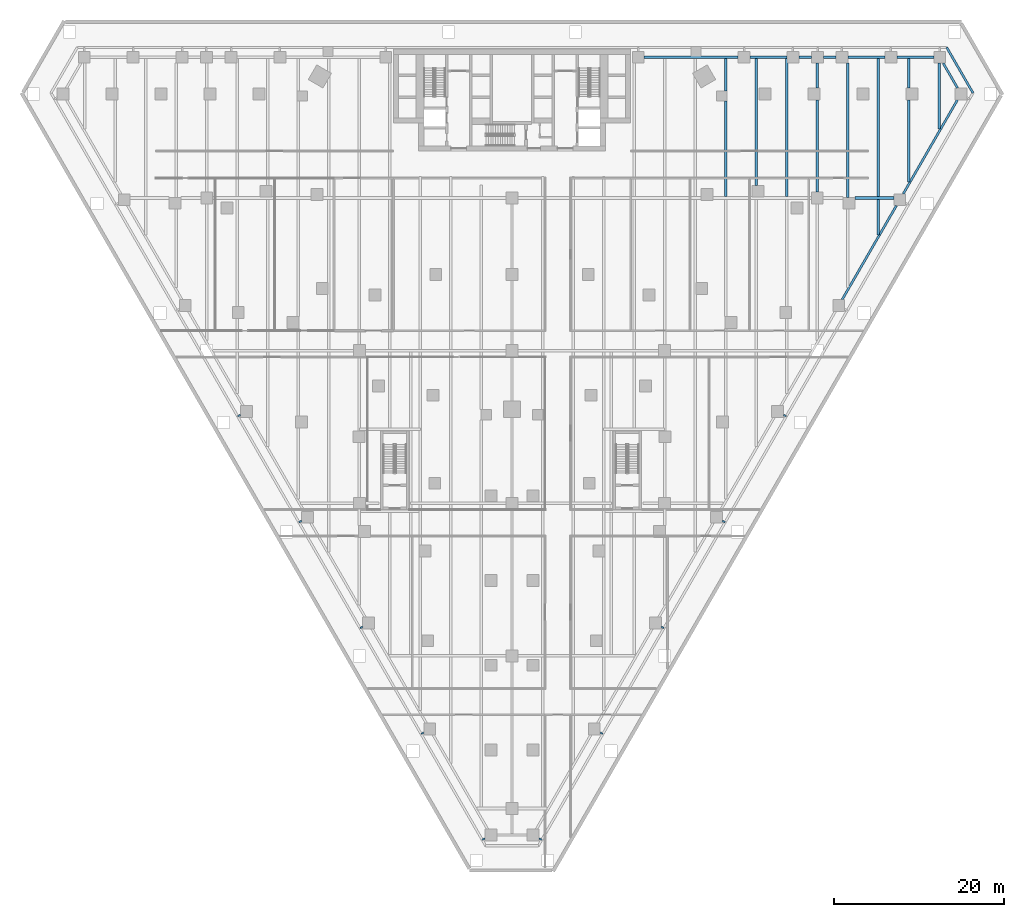
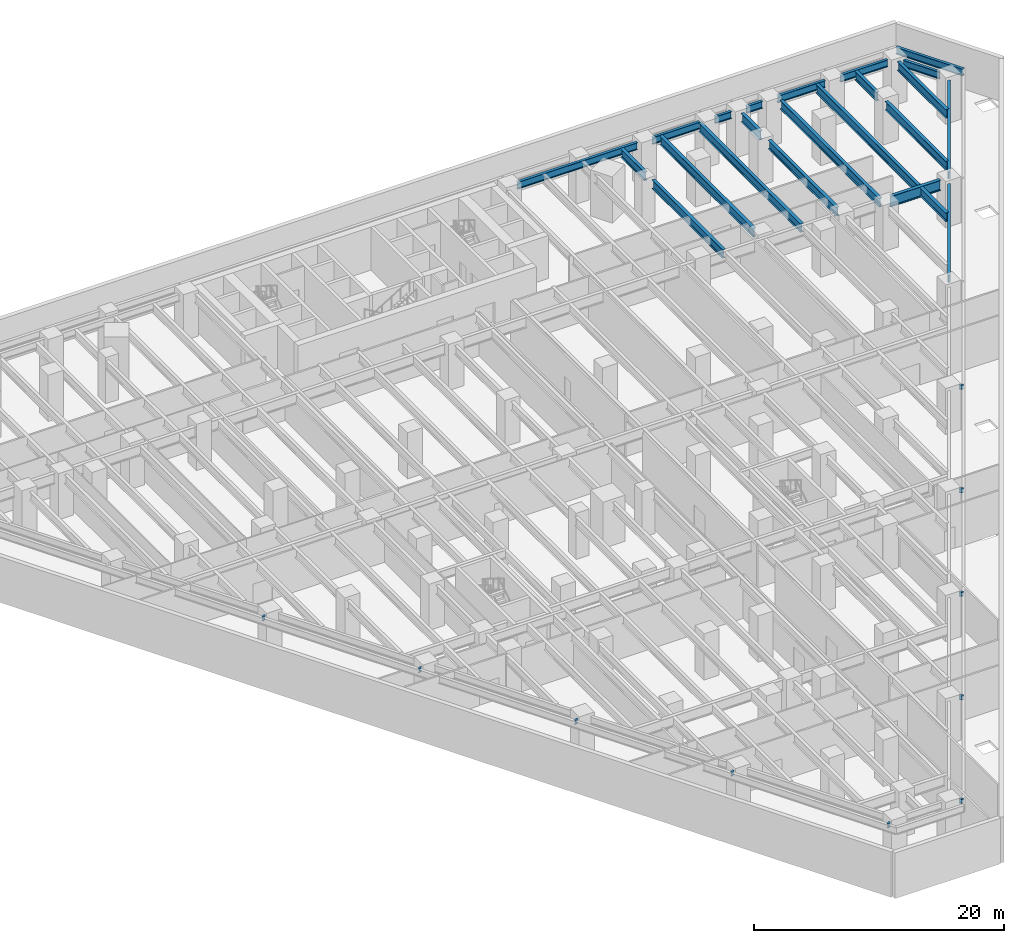
# One storey, part 4 of 20: 33 beams.
"""IFC4 building model written with IfcOpenShell, lengths in metres."""

from ifc_helpers import new_model, si_unit, direction, frame, origin, origin_2d, place, context, subcontext, project, spatial, i_section, extrude, material, material_profile, profile_set, type_object, element, save


model = new_model("IFC4")

# Units and contexts
model_context = context("Model", 3, precision=1e-05, world=origin(), true_north=direction((0.0, 1.0)))
body_context = subcontext(model_context, "Body", "Model", "MODEL_VIEW")
ifc_project = project(units=[si_unit("LENGTHUNIT", "METRE"), si_unit("AREAUNIT", "SQUARE_METRE"), si_unit("VOLUMEUNIT", "CUBIC_METRE"), si_unit("PLANEANGLEUNIT", "RADIAN"), si_unit("MASSUNIT", "GRAM", prefix="KILO")], contexts=[model_context])

# Site, building, storey
site_placement = place(None, origin())
site = spatial("IfcSite", under=ifc_project, at=site_placement, CompositionType="ELEMENT")
building_placement = place(site_placement, origin())
building = spatial("IfcBuilding", under=site, at=building_placement, Name="Aloe Facet Convention Tower", CompositionType="ELEMENT")
storey_placement = place(building_placement, frame((0.0, 0.0, -4.5)))
storey = spatial("IfcBuildingStorey", under=building, at=storey_placement, Name="B1", CompositionType="ELEMENT", Elevation=-4.5)

# Beams
ifc_material_1 = material(Name="Steel S355", Category="steel")
ifc_material_profile_1 = material_profile(ifc_material_1, i_section(OverallWidth=0.177734375, OverallDepth=0.402587890625, WebThickness=0.0078125, FlangeThickness=0.010986328125, FilletRadius=0.01025390625, at=origin_2d()), Name="UB 406x178x54")
ifc_profile_set_1 = profile_set([ifc_material_profile_1], Name="Steel S355")
beam_type_1 = type_object("IfcBeamType", Name="EV-BR-UB406x178x54", PredefinedType="BEAM", material=ifc_profile_set_1)
beam_1_placement = place(storey_placement, frame((47.97412109375, 91.423828125, 3.998779296875), z_axis=(-0.866185586049, -0.49972245349, 0.0), x_axis=(0.49972245349, -0.866185586049, 0.0)))
element("IfcBeam", 1, at=beam_1_placement, inside=storey, type_object=beam_type_1, Name="EB-L00-W-BR04", PredefinedType="BEAM", context=body_context, shape_type="SweptSolid", body=[
    extrude(i_section(OverallWidth=0.177734375, OverallDepth=0.402587890625, WebThickness=0.0078125, FlangeThickness=0.010986328125, FilletRadius=0.01025390625, at=origin_2d()), origin(), (0.0, 0.0, 1.0), 0.366455078125),
])
beam_2_placement = place(storey_placement, frame((55.18310546875, 78.93896484375, 3.998779296875), z_axis=(-0.865941888956, -0.500144624036, 0.0), x_axis=(0.500144624036, -0.865941888956, 0.0)))
element("IfcBeam", 2, at=beam_2_placement, inside=storey, type_object=beam_type_1, Name="EB-L00-W-BR05", PredefinedType="BEAM", context=body_context, shape_type="SweptSolid", body=[
    extrude(i_section(OverallWidth=0.177734375, OverallDepth=0.402587890625, WebThickness=0.0078125, FlangeThickness=0.010986328125, FilletRadius=0.01025390625, at=origin_2d()), origin(), (0.0, 0.0, 1.0), 0.3671875),
])
beam_3_placement = place(storey_placement, frame((62.39111328125, 66.452880859375, 3.998779296875), z_axis=(-0.866185586049, -0.49972245349, 0.0), x_axis=(0.49972245349, -0.866185586049, 0.0)))
element("IfcBeam", 3, at=beam_3_placement, inside=storey, type_object=beam_type_1, Name="EB-L00-W-BR06", PredefinedType="BEAM", context=body_context, shape_type="SweptSolid", body=[
    extrude(i_section(OverallWidth=0.177734375, OverallDepth=0.402587890625, WebThickness=0.0078125, FlangeThickness=0.010986328125, FilletRadius=0.01025390625, at=origin_2d()), origin(), (0.0, 0.0, 1.0), 0.366455078125),
])
beam_4_placement = place(storey_placement, frame((69.60009765625, 53.968017578125, 3.998779296875), z_axis=(-0.865941888956, -0.500144624036, 0.0), x_axis=(0.500144624036, -0.865941888956, 0.0)))
element("IfcBeam", 4, at=beam_4_placement, inside=storey, type_object=beam_type_1, Name="EB-L00-W-BR07", PredefinedType="BEAM", context=body_context, shape_type="SweptSolid", body=[
    extrude(i_section(OverallWidth=0.177734375, OverallDepth=0.402587890625, WebThickness=0.0078125, FlangeThickness=0.010986328125, FilletRadius=0.01025390625, at=origin_2d()), origin(), (0.0, 0.0, 1.0), 0.3671875),
])
beam_5_placement = place(storey_placement, frame((76.80810546875, 41.48193359375, 3.998779296875), z_axis=(-0.865897129857, -0.500222111171, 0.0), x_axis=(0.500222111171, -0.865897129857, 0.0)))
element("IfcBeam", 5, at=beam_5_placement, inside=storey, type_object=beam_type_1, Name="EB-L00-W-BR08", PredefinedType="BEAM", context=body_context, shape_type="SweptSolid", body=[
    extrude(i_section(OverallWidth=0.177734375, OverallDepth=0.402587890625, WebThickness=0.0078125, FlangeThickness=0.010986328125, FilletRadius=0.01025390625, at=origin_2d()), origin(), (0.0, 0.0, 1.0), 0.366455078125),
])
beam_6_placement = place(storey_placement, frame((104.81689453125, 78.93896484375, 3.998779296875), z_axis=(0.865941888956, -0.500144624036, 0.0), x_axis=(0.500144624036, 0.865941888956, 0.0)))
element("IfcBeam", 6, at=beam_6_placement, inside=storey, type_object=beam_type_1, Name="EB-L00-E-BR01", PredefinedType="BEAM", context=body_context, shape_type="SweptSolid", body=[
    extrude(i_section(OverallWidth=0.177734375, OverallDepth=0.402587890625, WebThickness=0.0078125, FlangeThickness=0.010986328125, FilletRadius=0.01025390625, at=origin_2d()), origin(), (0.0, 0.0, 1.0), 0.3671875),
])
for number, where, z_axis, x_axis, name in (
    (7, (112.02587890625, 91.423828125, 3.998779296875), (0.866185586049, -0.49972245349, 0.0), (0.49972245349, 0.866185586049, 0.0), "EB-L00-E-BR02"),
    (8, (83.19189453125, 41.48193359375, 3.998779296875), (0.865897129857, -0.500222111171, 0.0), (0.500222111171, 0.865897129857, 0.0), "EB-L00-E-BR06"),
):
    element("IfcBeam", number, at=place(storey_placement, frame(where, z_axis=z_axis, x_axis=x_axis)), inside=storey, type_object=beam_type_1, Name=name, PredefinedType="BEAM", context=body_context, shape_type="SweptSolid", body=[
        extrude(i_section(OverallWidth=0.177734375, OverallDepth=0.402587890625, WebThickness=0.0078125, FlangeThickness=0.010986328125, FilletRadius=0.01025390625, at=origin_2d()), origin(), (0.0, 0.0, 1.0), 0.366455078125),
    ])
beam_7_placement = place(storey_placement, frame((90.39990234375, 53.968017578125, 3.998779296875), z_axis=(0.865941888956, -0.500144624036, 0.0), x_axis=(0.500144624036, 0.865941888956, 0.0)))
element("IfcBeam", 9, at=beam_7_placement, inside=storey, type_object=beam_type_1, Name="EB-L00-E-BR07", PredefinedType="BEAM", context=body_context, shape_type="SweptSolid", body=[
    extrude(i_section(OverallWidth=0.177734375, OverallDepth=0.402587890625, WebThickness=0.0078125, FlangeThickness=0.010986328125, FilletRadius=0.01025390625, at=origin_2d()), origin(), (0.0, 0.0, 1.0), 0.3671875),
])
beam_8_placement = place(storey_placement, frame((97.60888671875, 66.452880859375, 3.998779296875), z_axis=(0.866185586049, -0.49972245349, 0.0), x_axis=(0.49972245349, 0.866185586049, 0.0)))
element("IfcBeam", 10, at=beam_8_placement, inside=storey, type_object=beam_type_1, Name="EB-L00-E-BR08", PredefinedType="BEAM", context=body_context, shape_type="SweptSolid", body=[
    extrude(i_section(OverallWidth=0.177734375, OverallDepth=0.402587890625, WebThickness=0.0078125, FlangeThickness=0.010986328125, FilletRadius=0.01025390625, at=origin_2d()), origin(), (0.0, 0.0, 1.0), 0.366455078125),
])
ifc_material_2 = material(Name="Steel S355", Category="steel")
ifc_material_profile_2 = material_profile(ifc_material_2, i_section(OverallWidth=0.25439453125, OverallDepth=0.6875, WebThickness=0.01318359375, FlangeThickness=0.02099609375, FilletRadius=0.01513671875, at=origin_2d()), Name="UB 686x254x152")
ifc_profile_set_2 = profile_set([ifc_material_profile_2], Name="Steel S355")
beam_type_2 = type_object("IfcBeamType", Name="EV-EB-UB686x254x152", PredefinedType="BEAM", material=ifc_profile_set_2)
beam_9_placement = place(storey_placement, frame((134.372802734375, 129.396728515625, 3.856201171875), z_axis=(-0.500016243463, 0.866016025414, 0.0), x_axis=(-0.866016025414, -0.500016243463, 0.0)))
element("IfcBeam", 11, at=beam_9_placement, inside=storey, type_object=beam_type_2, Name="EB-L00-C", PredefinedType="BEAM", context=body_context, shape_type="SweptSolid", body=[
    extrude(i_section(OverallWidth=0.25439453125, OverallDepth=0.6875, WebThickness=0.01318359375, FlangeThickness=0.02099609375, FilletRadius=0.01513671875, at=origin_2d()), origin(), (0.0, 0.0, 1.0), 6.210205078125),
])
ifc_material_3 = material(Name="Steel S355", Category="steel")
ifc_material_profile_3 = material_profile(ifc_material_3, i_section(OverallWidth=0.305419921875, OverallDepth=1.02587890625, WebThickness=0.02001953125, FlangeThickness=0.031005859375, FilletRadius=0.030029296875, at=origin_2d()), Name="UB 1016x305x349")
ifc_profile_set_3 = profile_set([ifc_material_profile_3], Name="Steel S355")
beam_type_3 = type_object("IfcBeamType", Name="SF-B-UB1016x305x349", PredefinedType="BEAM", material=ifc_profile_set_3)
beam_10_placement = place(storey_placement, frame((120.429931640625, 117.0, 3.68701171875), z_axis=(1.0, 0.0, 0.0), x_axis=(0.0, 1.0, 0.0)))
element("IfcBeam", 12, at=beam_10_placement, inside=storey, type_object=beam_type_3, Name="Floor beam FB-L00-051", PredefinedType="BEAM", context=body_context, shape_type="SweptSolid", body=[
    extrude(i_section(OverallWidth=0.305419921875, OverallDepth=1.02587890625, WebThickness=0.02001953125, FlangeThickness=0.031005859375, FilletRadius=0.030029296875, at=origin_2d()), origin(), (0.0, 0.0, 1.0), 4.612060546875),
])
ifc_material_4 = material(Name="Steel S355", Category="steel")
ifc_material_profile_4 = material_profile(ifc_material_4, i_section(OverallWidth=0.25439453125, OverallDepth=0.6875, WebThickness=0.01318359375, FlangeThickness=0.02099609375, FilletRadius=0.01513671875, at=origin_2d()), Name="UB 686x254x152")
ifc_profile_set_4 = profile_set([ifc_material_profile_4], Name="Steel S355")
beam_type_4 = type_object("IfcBeamType", Name="SF-B-UB686x254x152", PredefinedType="BEAM", material=ifc_profile_set_4)
beam_11_placement = place(storey_placement, frame((95.594970703125, 133.60009765625, 3.856201171875), z_axis=(1.0, 0.0, 0.0), x_axis=(0.0, 1.0, 0.0)))
element("IfcBeam", 13, at=beam_11_placement, inside=storey, type_object=beam_type_4, Name="Floor beam FB-L00-017", PredefinedType="BEAM", context=body_context, shape_type="SweptSolid", body=[
    extrude(i_section(OverallWidth=0.25439453125, OverallDepth=0.6875, WebThickness=0.01318359375, FlangeThickness=0.02099609375, FilletRadius=0.01513671875, at=origin_2d()), origin(), (0.0, 0.0, 1.0), 11.070068359375),
])
beam_12_placement = place(storey_placement, frame((108.06494140625, 133.60009765625, 3.856201171875), z_axis=(1.0, 0.0, 0.0), x_axis=(0.0, 1.0, 0.0)))
element("IfcBeam", 14, at=beam_12_placement, inside=storey, type_object=beam_type_4, Name="Floor beam FB-L00-020", PredefinedType="BEAM", context=body_context, shape_type="SweptSolid", body=[
    extrude(i_section(OverallWidth=0.25439453125, OverallDepth=0.6875, WebThickness=0.01318359375, FlangeThickness=0.02099609375, FilletRadius=0.01513671875, at=origin_2d()), origin(), (0.0, 0.0, 1.0), 4.3740234375),
])
beam_13_placement = place(storey_placement, frame((113.839111328125, 133.60009765625, 3.856201171875), z_axis=(1.0, 0.0, 0.0), x_axis=(0.0, 1.0, 0.0)))
element("IfcBeam", 15, at=beam_13_placement, inside=storey, type_object=beam_type_4, Name="Floor beam FB-L00-022", PredefinedType="BEAM", context=body_context, shape_type="SweptSolid", body=[
    extrude(i_section(OverallWidth=0.25439453125, OverallDepth=0.6875, WebThickness=0.01318359375, FlangeThickness=0.02099609375, FilletRadius=0.01513671875, at=origin_2d()), origin(), (0.0, 0.0, 1.0), 1.5029296875),
])
beam_14_placement = place(storey_placement, frame((116.741943359375, 133.60009765625, 3.856201171875), z_axis=(1.0, 0.0, 0.0), x_axis=(0.0, 1.0, 0.0)))
element("IfcBeam", 16, at=beam_14_placement, inside=storey, type_object=beam_type_4, Name="Floor beam FB-L00-023", PredefinedType="BEAM", context=body_context, shape_type="SweptSolid", body=[
    extrude(i_section(OverallWidth=0.25439453125, OverallDepth=0.6875, WebThickness=0.01318359375, FlangeThickness=0.02099609375, FilletRadius=0.01513671875, at=origin_2d()), origin(), (0.0, 0.0, 1.0), 1.469970703125),
])
beam_15_placement = place(storey_placement, frame((119.612060546875, 133.60009765625, 3.856201171875), z_axis=(1.0, 0.0, 0.0), x_axis=(0.0, 1.0, 0.0)))
element("IfcBeam", 17, at=beam_15_placement, inside=storey, type_object=beam_type_4, Name="Floor beam FB-L00-025", PredefinedType="BEAM", context=body_context, shape_type="SweptSolid", body=[
    extrude(i_section(OverallWidth=0.25439453125, OverallDepth=0.6875, WebThickness=0.01318359375, FlangeThickness=0.02099609375, FilletRadius=0.01513671875, at=origin_2d()), origin(), (0.0, 0.0, 1.0), 4.3740234375),
])
beam_16_placement = place(storey_placement, frame((125.33837890625, 116.09912109375, 3.856201171875), z_axis=(-0.499987149722, -0.866032822769, 0.0), x_axis=(0.866032822769, -0.499987149722, 0.0)))
element("IfcBeam", 18, at=beam_16_placement, inside=storey, type_object=beam_type_4, Name="Floor beam FB-L00-026", PredefinedType="BEAM", context=body_context, shape_type="SweptSolid", body=[
    extrude(i_section(OverallWidth=0.25439453125, OverallDepth=0.6875, WebThickness=0.01318359375, FlangeThickness=0.02099609375, FilletRadius=0.01513671875, at=origin_2d()), origin(), (0.0, 0.0, 1.0), 12.801025390625),
])
beam_17_placement = place(storey_placement, frame((125.385986328125, 133.60009765625, 3.856201171875), z_axis=(1.0, 0.0, 0.0), x_axis=(0.0, 1.0, 0.0)))
element("IfcBeam", 19, at=beam_17_placement, inside=storey, type_object=beam_type_4, Name="Floor beam FB-L00-027", PredefinedType="BEAM", context=body_context, shape_type="SweptSolid", body=[
    extrude(i_section(OverallWidth=0.25439453125, OverallDepth=0.6875, WebThickness=0.01318359375, FlangeThickness=0.02099609375, FilletRadius=0.01513671875, at=origin_2d()), origin(), (0.0, 0.0, 1.0), 4.373046875),
])
beam_18_placement = place(storey_placement, frame((130.86328125, 132.89990234375, 3.856201171875), z_axis=(0.500006981563, -0.86602137294, 0.0), x_axis=(0.86602137294, 0.500006981563, 0.0)))
element("IfcBeam", 20, at=beam_18_placement, inside=storey, type_object=beam_type_4, Name="Floor beam FB-L00-028", PredefinedType="BEAM", context=body_context, shape_type="SweptSolid", body=[
    extrude(i_section(OverallWidth=0.25439453125, OverallDepth=0.6875, WebThickness=0.01318359375, FlangeThickness=0.02099609375, FilletRadius=0.01513671875, at=origin_2d()), origin(), (0.0, 0.0, 1.0), 3.3671875),
])
beam_19_placement = place(storey_placement, frame((132.546630859375, 128.583984375, 3.856201171875), z_axis=(-0.499999833739, -0.866025499775, 0.0), x_axis=(0.866025499775, -0.499999833739, 0.0)))
element("IfcBeam", 21, at=beam_19_placement, inside=storey, type_object=beam_type_4, Name="Floor beam FB-L00-029", PredefinedType="BEAM", context=body_context, shape_type="SweptSolid", body=[
    extrude(i_section(OverallWidth=0.25439453125, OverallDepth=0.6875, WebThickness=0.01318359375, FlangeThickness=0.02099609375, FilletRadius=0.01513671875, at=origin_2d()), origin(), (0.0, 0.0, 1.0), 12.7998046875),
])
ifc_material_5 = material(Name="Steel S355", Category="steel")
ifc_material_profile_5 = material_profile(ifc_material_5, i_section(OverallWidth=0.293701171875, OverallDepth=0.850830078125, WebThickness=0.01611328125, FlangeThickness=0.02685546875, FilletRadius=0.017822265625, at=origin_2d()), Name="UB 838x292x226")
ifc_profile_set_5 = profile_set([ifc_material_profile_5], Name="Steel S355")
beam_type_5 = type_object("IfcBeamType", Name="SF-B-UB838x292x226", PredefinedType="BEAM", material=ifc_profile_set_5)
beam_20_placement = place(storey_placement, frame((105.199951171875, 117.152587890625, 3.774658203125), z_axis=(0.0, 1.0, 0.0), x_axis=(-1.0, 0.0, 0.0)))
element("IfcBeam", 22, at=beam_20_placement, inside=storey, type_object=beam_type_5, Name="Floor beam FB-L00-153", PredefinedType="BEAM", context=body_context, shape_type="SweptSolid", body=[
    extrude(i_section(OverallWidth=0.293701171875, OverallDepth=0.850830078125, WebThickness=0.01611328125, FlangeThickness=0.02685546875, FilletRadius=0.017822265625, at=origin_2d()), origin(), (0.0, 0.0, 1.0), 11.275390625),
])
beam_21_placement = place(storey_placement, frame((105.199951171875, 129.6279296875, 3.774658203125), z_axis=(0.0, 1.0, 0.0), x_axis=(-1.0, 0.0, 0.0)))
element("IfcBeam", 23, at=beam_21_placement, inside=storey, type_object=beam_type_5, Name="Floor beam FB-L00-154", PredefinedType="BEAM", context=body_context, shape_type="SweptSolid", body=[
    extrude(i_section(OverallWidth=0.293701171875, OverallDepth=0.850830078125, WebThickness=0.01611328125, FlangeThickness=0.02685546875, FilletRadius=0.017822265625, at=origin_2d()), origin(), (0.0, 0.0, 1.0), 3.834716796875),
])
beam_22_placement = place(storey_placement, frame((108.800048828125, 118.5048828125, 3.774658203125), z_axis=(0.0, 1.0, 0.0), x_axis=(-1.0, 0.0, 0.0)))
element("IfcBeam", 24, at=beam_22_placement, inside=storey, type_object=beam_type_5, Name="Floor beam FB-L00-157", PredefinedType="BEAM", context=body_context, shape_type="SweptSolid", body=[
    extrude(i_section(OverallWidth=0.293701171875, OverallDepth=0.850830078125, WebThickness=0.01611328125, FlangeThickness=0.02685546875, FilletRadius=0.017822265625, at=origin_2d()), origin(), (0.0, 0.0, 1.0), 14.957763671875),
])
beam_23_placement = place(storey_placement, frame((112.39990234375, 117.152587890625, 3.774658203125), z_axis=(0.0, 1.0, 0.0), x_axis=(-1.0, 0.0, 0.0)))
element("IfcBeam", 25, at=beam_23_placement, inside=storey, type_object=beam_type_5, Name="Floor beam FB-L00-161", PredefinedType="BEAM", context=body_context, shape_type="SweptSolid", body=[
    extrude(i_section(OverallWidth=0.293701171875, OverallDepth=0.850830078125, WebThickness=0.01611328125, FlangeThickness=0.02685546875, FilletRadius=0.017822265625, at=origin_2d()), origin(), (0.0, 0.0, 1.0), 16.31005859375),
])
beam_24_placement = place(storey_placement, frame((116.0, 117.699951171875, 3.774658203125), z_axis=(0.0, 1.0, 0.0), x_axis=(-1.0, 0.0, 0.0)))
element("IfcBeam", 26, at=beam_24_placement, inside=storey, type_object=beam_type_5, Name="Floor beam FB-L00-163", PredefinedType="BEAM", context=body_context, shape_type="SweptSolid", body=[
    extrude(i_section(OverallWidth=0.293701171875, OverallDepth=0.850830078125, WebThickness=0.01611328125, FlangeThickness=0.02685546875, FilletRadius=0.017822265625, at=origin_2d()), origin(), (0.0, 0.0, 1.0), 10.884033203125),
])
beam_25_placement = place(storey_placement, frame((116.0, 129.98388671875, 3.774658203125), z_axis=(0.0, 1.0, 0.0), x_axis=(-1.0, 0.0, 0.0)))
element("IfcBeam", 27, at=beam_25_placement, inside=storey, type_object=beam_type_5, Name="Floor beam FB-L00-164", PredefinedType="BEAM", context=body_context, shape_type="SweptSolid", body=[
    extrude(i_section(OverallWidth=0.293701171875, OverallDepth=0.850830078125, WebThickness=0.01611328125, FlangeThickness=0.02685546875, FilletRadius=0.017822265625, at=origin_2d()), origin(), (0.0, 0.0, 1.0), 2.916015625),
])
beam_26_placement = place(storey_placement, frame((119.60009765625, 117.0849609375, 3.774658203125), z_axis=(0.0, 1.0, 0.0), x_axis=(-1.0, 0.0, 0.0)))
element("IfcBeam", 28, at=beam_26_placement, inside=storey, type_object=beam_type_5, Name="Floor beam FB-L00-166", PredefinedType="BEAM", context=body_context, shape_type="SweptSolid", body=[
    extrude(i_section(OverallWidth=0.293701171875, OverallDepth=0.850830078125, WebThickness=0.01611328125, FlangeThickness=0.02685546875, FilletRadius=0.017822265625, at=origin_2d()), origin(), (0.0, 0.0, 1.0), 15.81494140625),
])
beam_27_placement = place(storey_placement, frame((123.199951171875, 112.65966796875, 3.774658203125), z_axis=(0.0, 1.0, 0.0), x_axis=(-1.0, 0.0, 0.0)))
element("IfcBeam", 29, at=beam_27_placement, inside=storey, type_object=beam_type_5, Name="Floor beam FB-L00-167", PredefinedType="BEAM", context=body_context, shape_type="SweptSolid", body=[
    extrude(i_section(OverallWidth=0.293701171875, OverallDepth=0.850830078125, WebThickness=0.01611328125, FlangeThickness=0.02685546875, FilletRadius=0.017822265625, at=origin_2d()), origin(), (0.0, 0.0, 1.0), 4.187744140625),
])
beam_28_placement = place(storey_placement, frame((123.199951171875, 117.152587890625, 3.774658203125), z_axis=(0.0, 1.0, 0.0), x_axis=(-1.0, 0.0, 0.0)))
element("IfcBeam", 30, at=beam_28_placement, inside=storey, type_object=beam_type_5, Name="Floor beam FB-L00-168", PredefinedType="BEAM", context=body_context, shape_type="SweptSolid", body=[
    extrude(i_section(OverallWidth=0.293701171875, OverallDepth=0.850830078125, WebThickness=0.01611328125, FlangeThickness=0.02685546875, FilletRadius=0.017822265625, at=origin_2d()), origin(), (0.0, 0.0, 1.0), 16.31005859375),
])
beam_29_placement = place(storey_placement, frame((126.800048828125, 118.89501953125, 3.774658203125), z_axis=(0.0, 1.0, 0.0), x_axis=(-1.0, 0.0, 0.0)))
element("IfcBeam", 31, at=beam_29_placement, inside=storey, type_object=beam_type_5, Name="Floor beam FB-L00-169", PredefinedType="BEAM", context=body_context, shape_type="SweptSolid", body=[
    extrude(i_section(OverallWidth=0.293701171875, OverallDepth=0.850830078125, WebThickness=0.01611328125, FlangeThickness=0.02685546875, FilletRadius=0.017822265625, at=origin_2d()), origin(), (0.0, 0.0, 1.0), 9.68896484375),
])
beam_30_placement = place(storey_placement, frame((126.800048828125, 129.98388671875, 3.774658203125), z_axis=(0.0, 1.0, 0.0), x_axis=(-1.0, 0.0, 0.0)))
element("IfcBeam", 32, at=beam_30_placement, inside=storey, type_object=beam_type_5, Name="Floor beam FB-L00-170", PredefinedType="BEAM", context=body_context, shape_type="SweptSolid", body=[
    extrude(i_section(OverallWidth=0.293701171875, OverallDepth=0.850830078125, WebThickness=0.01611328125, FlangeThickness=0.02685546875, FilletRadius=0.017822265625, at=origin_2d()), origin(), (0.0, 0.0, 1.0), 3.478759765625),
])
beam_31_placement = place(storey_placement, frame((130.39990234375, 125.13037109375, 3.774658203125), z_axis=(0.0, 1.0, 0.0), x_axis=(-1.0, 0.0, 0.0)))
element("IfcBeam", 33, at=beam_31_placement, inside=storey, type_object=beam_type_5, Name="Floor beam FB-L00-171", PredefinedType="BEAM", context=body_context, shape_type="SweptSolid", body=[
    extrude(i_section(OverallWidth=0.293701171875, OverallDepth=0.850830078125, WebThickness=0.01611328125, FlangeThickness=0.02685546875, FilletRadius=0.017822265625, at=origin_2d()), origin(), (0.0, 0.0, 1.0), 7.76953125),
])

save(model, "model.ifc")
